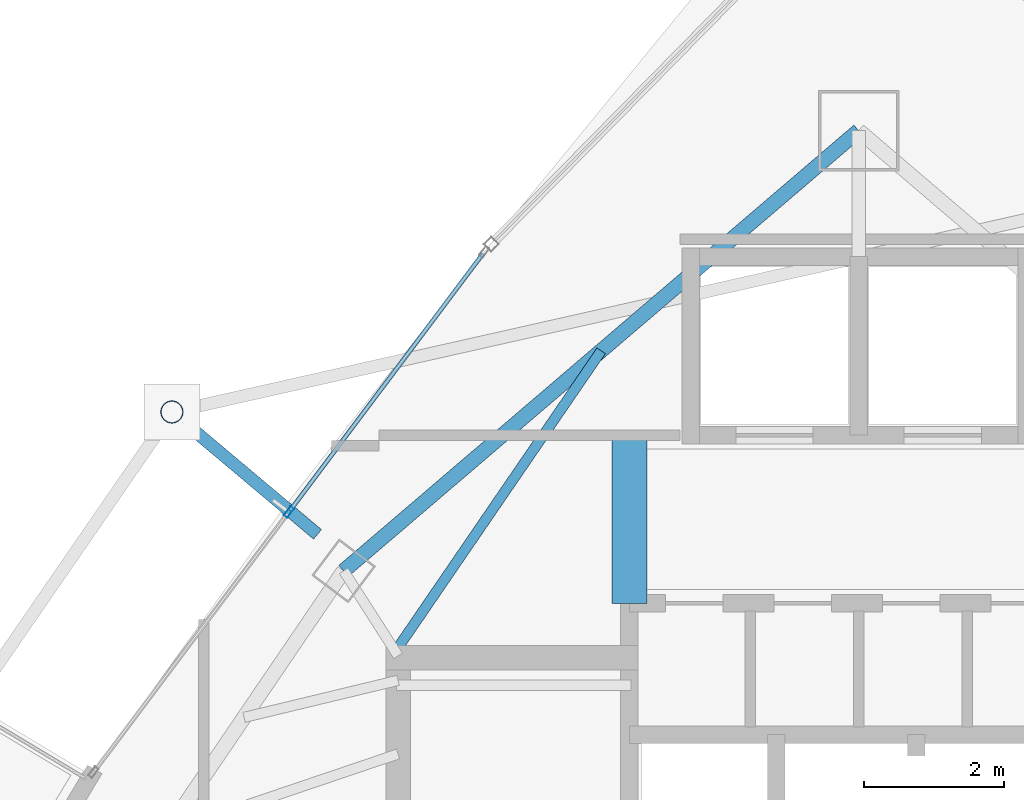
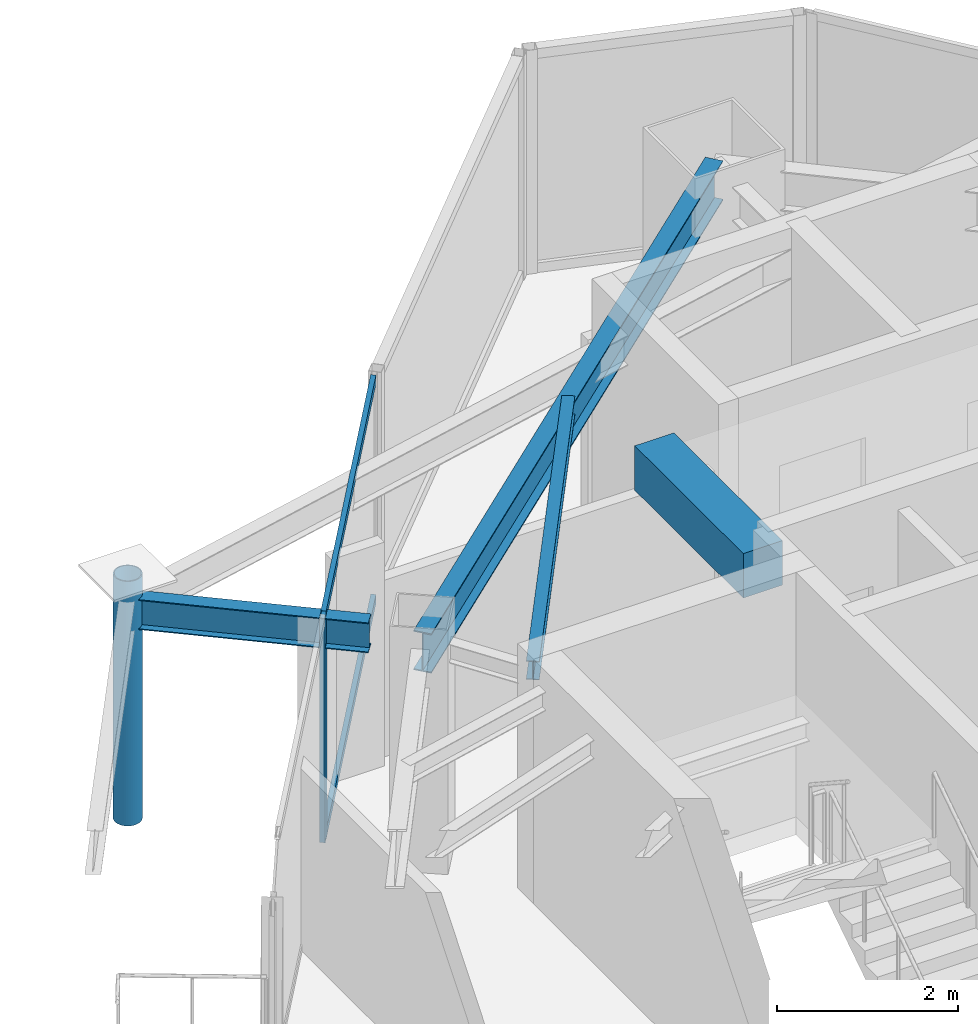
# One storey, part 20 of 30: 4 beams, 4 members, 1 element without a shape of its own.
"""IFC4 building model written with IfcOpenShell, lengths in metres."""

from ifc_helpers import new_model, si_unit, direction, frame, origin, origin_2d, place, context, subcontext, project, spatial, rectangle, hollow_rectangle, hollow_circle, i_section, extrude, material, layer, layer_set, material_profile, profile_set, type_object, element, aggregate, save


model = new_model("IFC4")

# Units and contexts
model_context = context("Model", 3, precision=1e-05, world=origin(), true_north=direction((0.0, 1.0)))
body_context = subcontext(model_context, "Body", "Model", "MODEL_VIEW")
ifc_project = project(units=[si_unit("LENGTHUNIT", "METRE"), si_unit("AREAUNIT", "SQUARE_METRE"), si_unit("VOLUMEUNIT", "CUBIC_METRE"), si_unit("PLANEANGLEUNIT", "RADIAN"), si_unit("MASSUNIT", "GRAM", prefix="KILO")], contexts=[model_context])

# Site, building, storey
site_placement = place(None, origin())
site = spatial("IfcSite", under=ifc_project, at=site_placement, CompositionType="ELEMENT")
building_placement = place(site_placement, origin())
building = spatial("IfcBuilding", under=site, at=building_placement, Name="Orvanel Arch Residences", CompositionType="ELEMENT")
storey_placement = place(building_placement, frame((0.0, 0.0, 273.35009765625)))
storey = spatial("IfcBuildingStorey", under=building, at=storey_placement, Name="L78", CompositionType="ELEMENT", Elevation=273.35009765625)

# Beams
ifc_material_1 = material(Name="Structural steel AS/NZS 3679.1 Grade 300 (300 MPa)", Category="steel")
ifc_material_profile_1 = material_profile(ifc_material_1, i_section(OverallWidth=0.14599609375, OverallDepth=0.251953125, WebThickness=0.006103515625, FlangeThickness=0.008544921875, at=origin_2d()), Name="250UB31.4")
ifc_profile_set_1 = profile_set([ifc_material_profile_1], Name="Structural steel AS/NZS 3679.1 Grade 300 (300 MPa)")
beam_type_1 = type_object("IfcBeamType", Name="BJ-250UB", PredefinedType="JOIST", material=ifc_profile_set_1)
beam_1_placement = place(storey_placement, frame((26.425048828125, 34.02001953125, 2.893798828125), z_axis=(0.564868085352, 0.825181220188, 0.0), x_axis=(-0.825181220188, 0.564868085352, 0.0)))
element("IfcBeam", 1, at=beam_1_placement, inside=storey, type_object=beam_type_1, Name="L78 NNW2 Wing Floor Joist", PredefinedType="JOIST", context=body_context, shape_type="SweptSolid", body=[
    extrude(i_section(OverallWidth=0.14599609375, OverallDepth=0.251953125, WebThickness=0.006103515625, FlangeThickness=0.008544921875, at=origin_2d()), origin(), (0.0, 0.0, 1.0), 5.132080078125),
])
ifc_material_2 = material(Name="Concrete S65 (65 MPa)", Category="concrete")
ifc_material_profile_2 = material_profile(ifc_material_2, rectangle(XDim=0.5, YDim=0.60009765625, at=origin_2d()), Name="RC500x600")
ifc_profile_set_2 = profile_set([ifc_material_profile_2], Name="Concrete S65 (65 MPa)")
beam_type_2 = type_object("IfcBeamType", Name="CB-500x600", PredefinedType="LINTEL", material=ifc_profile_set_2)
beam_2_placement = place(storey_placement, frame((29.72509765625, 34.64990234375, 2.719970703125), z_axis=(0.0, 1.0, 0.0), x_axis=(-1.0, 0.0, 0.0)))
element("IfcBeam", 2, at=beam_2_placement, inside=storey, type_object=beam_type_2, Name="L78 West Core Lobby Coupling Lintel Beam", PredefinedType="LINTEL", context=body_context, shape_type="SweptSolid", body=[
    extrude(rectangle(XDim=0.5, YDim=0.60009765625, at=origin_2d()), origin(), (0.0, 0.0, 1.0), 2.400146484375),
])

# Curtain wall, member
ifc_material_3 = material(Name="Bronze-anodised aluminium AA6063-T6", Category="aluminium")
ifc_layer = layer(ifc_material_3, 0.175048828125)
ifc_layer_set = layer_set([ifc_layer], Name="Bronze-anodised aluminium AA6063-T6")
curtain_wall_type = type_object("IfcCurtainWallType", Name="CW4-HI-SYS", PredefinedType="NOTDEFINED", material=ifc_layer_set)
curtain_wall_placement = place(storey_placement, origin())
curtain_wall = element("IfcCurtainWall", 3, at=curtain_wall_placement, inside=storey, type_object=curtain_wall_type, Name="L78 CW4-HI-SYS Unitised Curtain Wall", PredefinedType="NOTDEFINED")
ifc_material_profile_3 = material_profile(ifc_material_3, hollow_rectangle(XDim=0.06494140625, YDim=0.159912109375, WallThickness=0.00390625, at=origin_2d()), Name="ALU160x65x4")
ifc_profile_set_3 = profile_set([ifc_material_profile_3], Name="Bronze-anodised aluminium AA6063-T6")
member_type_1 = type_object("IfcMemberType", Name="MUL-160x65", PredefinedType="MULLION", material=ifc_profile_set_3)
member_1_placement = place(storey_placement, frame((24.865478515625, 35.951904296875, 0.0), z_axis=(0.0, 0.0, 1.0), x_axis=(0.799615096912, -0.60051286147, 0.0)))
member_1 = element("IfcMember", 4, at=member_1_placement, type_object=member_type_1, Name="CW-S4 mullion 2", PredefinedType="MULLION", context=body_context, shape_type="SweptSolid", body=[
    extrude(hollow_rectangle(XDim=0.06494140625, YDim=0.159912109375, WallThickness=0.00390625, at=origin_2d()), origin(), (0.0, 0.0, 1.0), 3.02001953125),
])

# Beams
ifc_material_profile_4 = material_profile(ifc_material_1, i_section(OverallWidth=0.177978515625, OverallDepth=0.406005859375, WebThickness=0.0078125, FlangeThickness=0.0126953125, at=origin_2d()), Name="410UB59.7")
ifc_profile_set_4 = profile_set([ifc_material_profile_4], Name="Structural steel AS/NZS 3679.1 Grade 300 (300 MPa)")
beam_type_3 = type_object("IfcBeamType", Name="OB-410UB-EXT", PredefinedType="SPANDREL", material=ifc_profile_set_4)
beam_3_placement = place(storey_placement, frame((25.27490234375, 35.634033203125, 2.81689453125), z_axis=(-0.765554296726, 0.643371291529, 0.0), x_axis=(-0.643371291529, -0.765554296726, 0.0)))
element("IfcBeam", 5, at=beam_3_placement, inside=storey, type_object=beam_type_3, Name="L78 Outer Frame Radial Tie Beam 01", PredefinedType="SPANDREL", context=body_context, shape_type="SweptSolid", body=[
    extrude(i_section(OverallWidth=0.177978515625, OverallDepth=0.406005859375, WebThickness=0.0078125, FlangeThickness=0.0126953125, at=origin_2d()), origin(), (0.0, 0.0, 1.0), 2.715576171875),
])
ifc_material_profile_5 = material_profile(ifc_material_1, i_section(OverallWidth=0.208984375, OverallDepth=0.532958984375, WebThickness=0.01025390625, FlangeThickness=0.015625, at=origin_2d()), Name="530UB92.4")
ifc_profile_set_5 = profile_set([ifc_material_profile_5], Name="Structural steel AS/NZS 3679.1 Grade 300 (300 MPa)")
beam_type_4 = type_object("IfcBeamType", Name="SP-530UB", PredefinedType="SPANDREL", material=ifc_profile_set_5)
beam_4_placement = place(storey_placement, frame((33.0, 41.39794921875, 2.7529296875), z_axis=(-0.760116518398, -0.649786794617, 0.0), x_axis=(0.649786794617, -0.760116518398, 0.0)))
element("IfcBeam", 6, at=beam_4_placement, inside=storey, type_object=beam_type_4, Name="L78 Perimeter Spandrel Beam 10", PredefinedType="SPANDREL", context=body_context, shape_type="SweptSolid", body=[
    extrude(i_section(OverallWidth=0.208984375, OverallDepth=0.532958984375, WebThickness=0.01025390625, FlangeThickness=0.015625, at=origin_2d()), origin(), (0.0, 0.0, 1.0), 9.67236328125),
])

# Member
ifc_material_4 = material(Name="Structural steel AS/NZS 1163 C350L0 (Grade 350)", Category="steel")
ifc_material_profile_6 = material_profile(ifc_material_4, hollow_circle(Radius=0.162109375, WallThickness=0.0126953125, at=origin_2d()), Name="CHS324x12.7")
ifc_profile_set_6 = profile_set([ifc_material_profile_6], Name="Structural steel AS/NZS 1163 C350L0 (Grade 350)")
member_type_2 = type_object("IfcMemberType", Name="ST-324CHS-EXT", PredefinedType="STRUT", material=ifc_profile_set_6)
member_2_placement = place(storey_placement, frame((23.196044921875, 37.381103515625, 0.0), z_axis=(0.0, 0.0, 1.0), x_axis=(1.0, 0.0, 0.0)))
element("IfcMember", 7, at=member_2_placement, inside=storey, type_object=member_type_2, Name="L78 Outer Perimeter Frame Post 01", PredefinedType="STRUT", context=body_context, shape_type="SweptSolid", body=[
    extrude(hollow_circle(Radius=0.162109375, WallThickness=0.0126953125, at=origin_2d()), origin(), (0.0, 0.0, 1.0), 3.2998046875),
])

ifc_material_profile_7 = material_profile(ifc_material_3, hollow_rectangle(XDim=0.06005859375, YDim=0.1201171875, WallThickness=0.00341796875, at=origin_2d()), Name="ALU120x60x3.5")
ifc_profile_set_7 = profile_set([ifc_material_profile_7], Name="Bronze-anodised aluminium AA6063-T6")
member_type_3 = type_object("IfcMemberType", Name="TRN-120x60", PredefinedType="USERDEFINED", material=ifc_profile_set_7)
member_3_placement = place(storey_placement, frame((27.635986328125, 39.64111328125, 0.02978515625), z_axis=(-0.600511495191, -0.799616122989, 0.0), x_axis=(0.799616122989, -0.600511495191, 0.0)))
member_3 = element("IfcMember", 8, at=member_3_placement, type_object=member_type_3, Name="CW-S4 transom 1.1", ObjectType="TRANSOM", PredefinedType="USERDEFINED", context=body_context, shape_type="SweptSolid", body=[
    extrude(hollow_rectangle(XDim=0.06005859375, YDim=0.1201171875, WallThickness=0.00341796875, at=origin_2d()), origin(), (0.0, 0.0, 1.0), 4.5810546875),
])

member_4_placement = place(storey_placement, frame((27.635986328125, 39.64111328125, 2.989990234375), z_axis=(-0.600511495191, -0.799616122989, 0.0), x_axis=(0.799616122989, -0.600511495191, 0.0)))
member_4 = element("IfcMember", 9, at=member_4_placement, type_object=member_type_3, Name="CW-S4 transom 1.2", ObjectType="TRANSOM", PredefinedType="USERDEFINED", context=body_context, shape_type="SweptSolid", body=[
    extrude(hollow_rectangle(XDim=0.06005859375, YDim=0.1201171875, WallThickness=0.00341796875, at=origin_2d()), origin(), (0.0, 0.0, 1.0), 4.5810546875),
])

aggregate(curtain_wall, [member_1, member_3, member_4])

save(model, "model.ifc")
